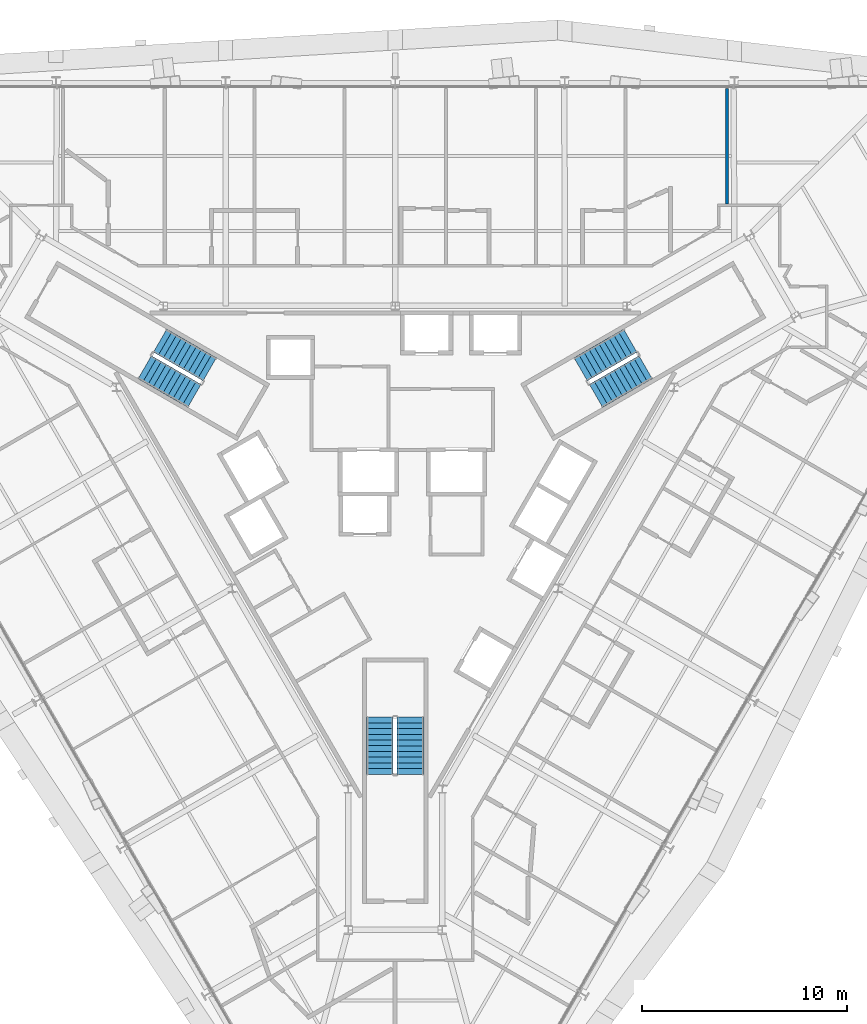
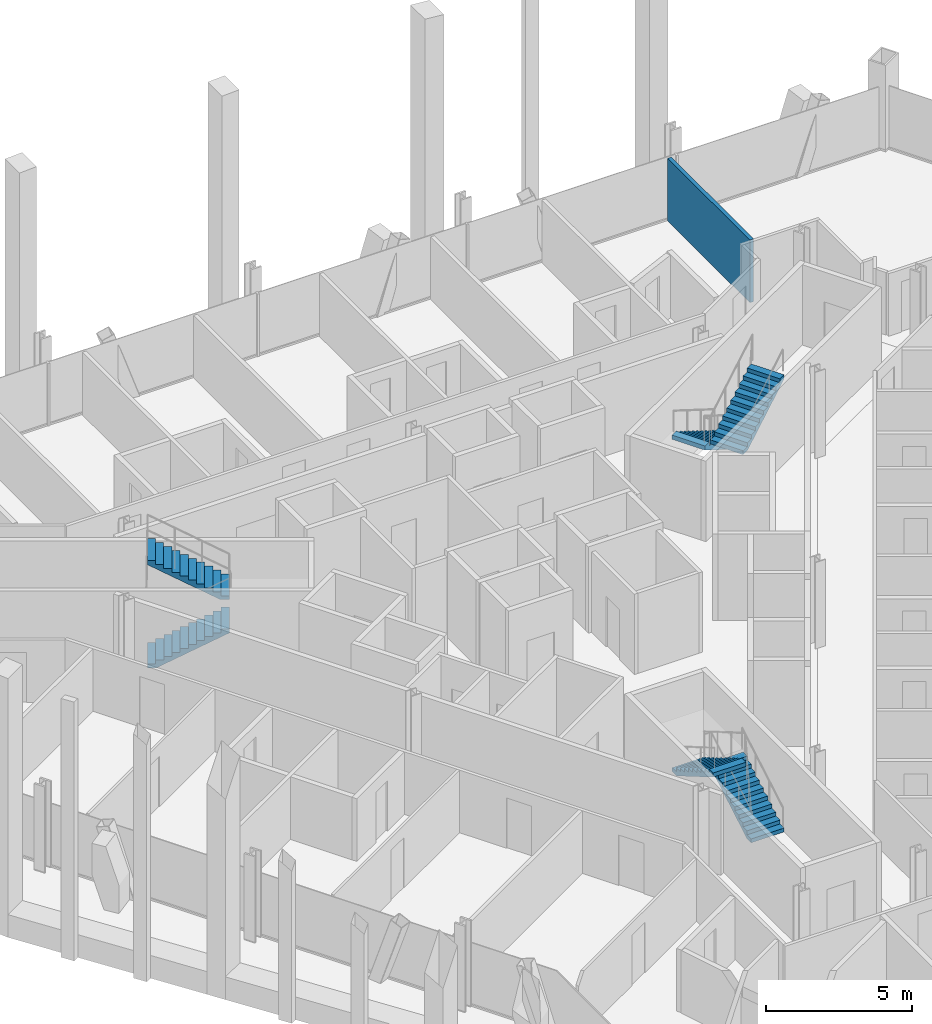
# One storey, part 15 of 17: 6 stair flights, 1 wall, 3 elements without a shape of their own.
"""IFC4 building model written with IfcOpenShell, lengths in metres."""

from ifc_helpers import new_model, si_unit, direction, frame, frame_2d, origin, place, context, subcontext, project, spatial, polyline, rectangle, outline, extrude, material, layer, layer_set, type_object, element, aggregate, save


model = new_model("IFC4")

# Units and contexts
model_context = context("Model", 3, precision=1e-05, world=origin(), true_north=direction((0.0, 1.0)))
body_context = subcontext(model_context, "Body", "Model", "MODEL_VIEW")
ifc_project = project(units=[si_unit("LENGTHUNIT", "METRE"), si_unit("AREAUNIT", "SQUARE_METRE"), si_unit("VOLUMEUNIT", "CUBIC_METRE"), si_unit("PLANEANGLEUNIT", "RADIAN"), si_unit("MASSUNIT", "GRAM", prefix="KILO")], contexts=[model_context])

# Site, building, storey
site_placement = place(None, origin())
site = spatial("IfcSite", under=ifc_project, at=site_placement, CompositionType="ELEMENT")
building_placement = place(site_placement, origin())
building = spatial("IfcBuilding", under=site, at=building_placement, Name="Verrane Prism Tower", CompositionType="ELEMENT")
storey_placement = place(building_placement, frame((0.0, 0.0, 132.39990234375)))
storey = spatial("IfcBuildingStorey", under=building, at=storey_placement, Name="L32", CompositionType="ELEMENT", Elevation=132.39990234375)

# Wall
ifc_material_1 = material(Name="Gypsum board partition", Category="other")
ifc_layer = layer(ifc_material_1, 0.14990234375)
ifc_layer_set = layer_set([ifc_layer], Name="PW-150 demising wall 1 h")
wall_type = type_object("IfcWallType", Name="PW-150 demising wall 1 h", PredefinedType="PARTITIONING", material=ifc_layer_set)
wall_placement = place(storey_placement, frame((16.22607421875, 14.189453125, 0.0), z_axis=(0.0, 0.0, 1.0), x_axis=(0.0, 1.0, 0.0)))
element("IfcWall", 1, at=wall_placement, inside=storey, type_object=wall_type, Name="Demising wall 084", PredefinedType="PARTITIONING", context=body_context, shape_type="SweptSolid", body=[
    extrude(rectangle(XDim=5.62548828125, YDim=0.14990234375, at=frame_2d((2.812744140625, 0.0))), origin(), (0.0, 0.0, 1.0), 2.613037109375),
])

# Stair, stair flights
ifc_material_2 = material(Name="Concrete C40/50", Category="concrete")
stair_type = type_object("IfcStairType", Name="Exit stair 1300 dog-leg precast concrete C40/50", PredefinedType="HALF_TURN_STAIR", material=ifc_material_2)
stair_1_placement = place(storey_placement, origin())
stair_1 = element("IfcStair", 2, at=stair_1_placement, inside=storey, type_object=stair_type, Name="Stair 1 L32", PredefinedType="HALF_TURN_STAIR")
ifc_material_3 = material(Name="Concrete C40/50", Category="concrete")
stair_flight_type = type_object("IfcStairFlightType", Name="Stair flight 1300 precast concrete C40/50", PredefinedType="STRAIGHT", material=ifc_material_3)
stair_flight_1_placement = place(storey_placement, frame((11.489501953125, 7.49951171875, 0.0), z_axis=(0.0, 0.0, 1.0), x_axis=(-0.866025403784, -0.5, 0.0)))
stair_flight_1 = element("IfcStairFlight", 3, at=stair_flight_1_placement, type_object=stair_flight_type, Name="Stair 1 flight 1", NumberOfRisers=11, NumberOfTreads=10, PredefinedType="STRAIGHT", RiserHeight=0.163636364, TreadLength=0.28, context=body_context, shape_type="SweptSolid", body=[
    extrude(outline(polyline([(0.0, 0.0), (0.0, 0.16357421875), (0.280029296875, 0.16357421875), (0.280029296875, 0.327392578125), (0.56005859375, 0.327392578125), (0.56005859375, 0.490966796875), (0.840087890625, 0.490966796875), (0.840087890625, 0.654541015625), (1.1201171875, 0.654541015625), (1.1201171875, 0.818115234375), (1.39990234375, 0.818115234375), (1.39990234375, 0.98193359375), (1.679931640625, 0.98193359375), (1.679931640625, 1.1455078125), (1.9599609375, 1.1455078125), (1.9599609375, 1.30908203125), (2.239990234375, 1.30908203125), (2.239990234375, 1.47265625), (2.52001953125, 1.47265625), (2.52001953125, 1.636474609375), (2.800048828125, 1.636474609375), (2.800048828125, 1.800048828125), (2.800048828125, 1.462646484375), (0.297119140625, 0.0), (0.0, 0.0)])), frame((0.0, 0.64990234375, 0.0), z_axis=(0.0, -1.0, 0.0), x_axis=(1.0, 0.0, 0.0)), (0.0, 0.0, 1.0), 1.300048828125),
])
stair_flight_2_placement = place(storey_placement, frame((9.814697265625, 4.800537109375, 1.800048828125), z_axis=(0.0, 0.0, 1.0), x_axis=(0.866025403784, 0.5, 0.0)))
stair_flight_2 = element("IfcStairFlight", 4, at=stair_flight_2_placement, type_object=stair_flight_type, Name="Stair 1 flight 2", NumberOfRisers=11, NumberOfTreads=10, PredefinedType="STRAIGHT", RiserHeight=0.163636364, TreadLength=0.28, context=body_context, shape_type="SweptSolid", body=[
    extrude(outline(polyline([(0.0, 0.0), (0.0, 0.16357421875), (0.280029296875, 0.16357421875), (0.280029296875, 0.327392578125), (0.56005859375, 0.327392578125), (0.56005859375, 0.490966796875), (0.840087890625, 0.490966796875), (0.840087890625, 0.654541015625), (1.1201171875, 0.654541015625), (1.1201171875, 0.818115234375), (1.39990234375, 0.818115234375), (1.39990234375, 0.98193359375), (1.679931640625, 0.98193359375), (1.679931640625, 1.1455078125), (1.9599609375, 1.1455078125), (1.9599609375, 1.30908203125), (2.239990234375, 1.30908203125), (2.239990234375, 1.47265625), (2.52001953125, 1.47265625), (2.52001953125, 1.636474609375), (2.800048828125, 1.636474609375), (2.800048828125, 1.800048828125), (2.800048828125, 1.462646484375), (0.297119140625, 0.0), (0.0, 0.0)])), frame((0.0, 0.64990234375, 0.0), z_axis=(0.0, -1.0, 0.0), x_axis=(1.0, 0.0, 0.0)), (0.0, 0.0, 1.0), 1.300048828125),
])
aggregate(stair_1, [stair_flight_1, stair_flight_2])

stair_2_placement = place(storey_placement, origin())
stair_2 = element("IfcStair", 5, at=stair_2_placement, inside=storey, type_object=stair_type, Name="Stair 2 L32", PredefinedType="HALF_TURN_STAIR")
stair_flight_3_placement = place(storey_placement, frame((-12.239501953125, 6.200439453125, 0.0), z_axis=(0.0, 0.0, 1.0), x_axis=(0.866025403784, -0.5, 0.0)))
stair_flight_3 = element("IfcStairFlight", 6, at=stair_flight_3_placement, type_object=stair_flight_type, Name="Stair 2 flight 1", NumberOfRisers=11, NumberOfTreads=10, PredefinedType="STRAIGHT", RiserHeight=0.163636364, TreadLength=0.28, context=body_context, shape_type="SweptSolid", body=[
    extrude(outline(polyline([(0.0, 0.0), (0.0, 0.16357421875), (0.280029296875, 0.16357421875), (0.280029296875, 0.327392578125), (0.56005859375, 0.327392578125), (0.56005859375, 0.490966796875), (0.840087890625, 0.490966796875), (0.840087890625, 0.654541015625), (1.1201171875, 0.654541015625), (1.1201171875, 0.818115234375), (1.39990234375, 0.818115234375), (1.39990234375, 0.98193359375), (1.679931640625, 0.98193359375), (1.679931640625, 1.1455078125), (1.9599609375, 1.1455078125), (1.9599609375, 1.30908203125), (2.239990234375, 1.30908203125), (2.239990234375, 1.47265625), (2.52001953125, 1.47265625), (2.52001953125, 1.636474609375), (2.800048828125, 1.636474609375), (2.800048828125, 1.800048828125), (2.800048828125, 1.462646484375), (0.297119140625, 0.0), (0.0, 0.0)])), frame((0.0, 0.64990234375, 0.0), z_axis=(0.0, -1.0, 0.0), x_axis=(1.0, 0.0, 0.0)), (0.0, 0.0, 1.0), 1.300048828125),
])
stair_flight_4_placement = place(storey_placement, frame((-9.064697265625, 6.099609375, 1.800048828125), z_axis=(0.0, 0.0, 1.0), x_axis=(-0.866025403784, 0.5, 0.0)))
stair_flight_4 = element("IfcStairFlight", 7, at=stair_flight_4_placement, type_object=stair_flight_type, Name="Stair 2 flight 2", NumberOfRisers=11, NumberOfTreads=10, PredefinedType="STRAIGHT", RiserHeight=0.163636364, TreadLength=0.28, context=body_context, shape_type="SweptSolid", body=[
    extrude(outline(polyline([(0.0, 0.0), (0.0, 0.16357421875), (0.280029296875, 0.16357421875), (0.280029296875, 0.327392578125), (0.56005859375, 0.327392578125), (0.56005859375, 0.490966796875), (0.840087890625, 0.490966796875), (0.840087890625, 0.654541015625), (1.1201171875, 0.654541015625), (1.1201171875, 0.818115234375), (1.39990234375, 0.818115234375), (1.39990234375, 0.98193359375), (1.679931640625, 0.98193359375), (1.679931640625, 1.1455078125), (1.9599609375, 1.1455078125), (1.9599609375, 1.30908203125), (2.239990234375, 1.30908203125), (2.239990234375, 1.47265625), (2.52001953125, 1.47265625), (2.52001953125, 1.636474609375), (2.800048828125, 1.636474609375), (2.800048828125, 1.800048828125), (2.800048828125, 1.462646484375), (0.297119140625, 0.0), (0.0, 0.0)])), frame((0.0, 0.64990234375, 0.0), z_axis=(0.0, -1.0, 0.0), x_axis=(1.0, 0.0, 0.0)), (0.0, 0.0, 1.0), 1.300048828125),
])
aggregate(stair_2, [stair_flight_3, stair_flight_4])

stair_3_placement = place(storey_placement, origin())
stair_3 = element("IfcStair", 8, at=stair_3_placement, inside=storey, type_object=stair_type, Name="Stair 3 L32", PredefinedType="HALF_TURN_STAIR")
stair_flight_5_placement = place(storey_placement, frame((0.75, -13.699951171875, 0.0), z_axis=(0.0, 0.0, 1.0), x_axis=(0.0, 1.0, 0.0)))
stair_flight_5 = element("IfcStairFlight", 9, at=stair_flight_5_placement, type_object=stair_flight_type, Name="Stair 3 flight 1", NumberOfRisers=11, NumberOfTreads=10, PredefinedType="STRAIGHT", RiserHeight=0.163636364, TreadLength=0.28, context=body_context, shape_type="SweptSolid", body=[
    extrude(outline(polyline([(0.0, 0.0), (0.0, 0.16357421875), (0.280029296875, 0.16357421875), (0.280029296875, 0.327392578125), (0.56005859375, 0.327392578125), (0.56005859375, 0.490966796875), (0.840087890625, 0.490966796875), (0.840087890625, 0.654541015625), (1.1201171875, 0.654541015625), (1.1201171875, 0.818115234375), (1.39990234375, 0.818115234375), (1.39990234375, 0.98193359375), (1.679931640625, 0.98193359375), (1.679931640625, 1.1455078125), (1.9599609375, 1.1455078125), (1.9599609375, 1.30908203125), (2.239990234375, 1.30908203125), (2.239990234375, 1.47265625), (2.52001953125, 1.47265625), (2.52001953125, 1.636474609375), (2.800048828125, 1.636474609375), (2.800048828125, 1.800048828125), (2.800048828125, 1.462646484375), (0.297119140625, 0.0), (0.0, 0.0)])), frame((0.0, 0.64990234375, 0.0), z_axis=(0.0, -1.0, 0.0), x_axis=(1.0, 0.0, 0.0)), (0.0, 0.0, 1.0), 1.300048828125),
])
stair_flight_6_placement = place(storey_placement, frame((-0.75, -10.89990234375, 1.800048828125), z_axis=(0.0, 0.0, 1.0), x_axis=(0.0, -1.0, 0.0)))
stair_flight_6 = element("IfcStairFlight", 10, at=stair_flight_6_placement, type_object=stair_flight_type, Name="Stair 3 flight 2", NumberOfRisers=11, NumberOfTreads=10, PredefinedType="STRAIGHT", RiserHeight=0.163636364, TreadLength=0.28, context=body_context, shape_type="SweptSolid", body=[
    extrude(outline(polyline([(0.0, 0.0), (0.0, 0.16357421875), (0.280029296875, 0.16357421875), (0.280029296875, 0.327392578125), (0.56005859375, 0.327392578125), (0.56005859375, 0.490966796875), (0.840087890625, 0.490966796875), (0.840087890625, 0.654541015625), (1.1201171875, 0.654541015625), (1.1201171875, 0.818115234375), (1.39990234375, 0.818115234375), (1.39990234375, 0.98193359375), (1.679931640625, 0.98193359375), (1.679931640625, 1.1455078125), (1.9599609375, 1.1455078125), (1.9599609375, 1.30908203125), (2.239990234375, 1.30908203125), (2.239990234375, 1.47265625), (2.52001953125, 1.47265625), (2.52001953125, 1.636474609375), (2.800048828125, 1.636474609375), (2.800048828125, 1.800048828125), (2.800048828125, 1.462646484375), (0.297119140625, 0.0), (0.0, 0.0)])), frame((0.0, 0.64990234375, 0.0), z_axis=(0.0, -1.0, 0.0), x_axis=(1.0, 0.0, 0.0)), (0.0, 0.0, 1.0), 1.300048828125),
])
aggregate(stair_3, [stair_flight_5, stair_flight_6])

save(model, "model.ifc")
